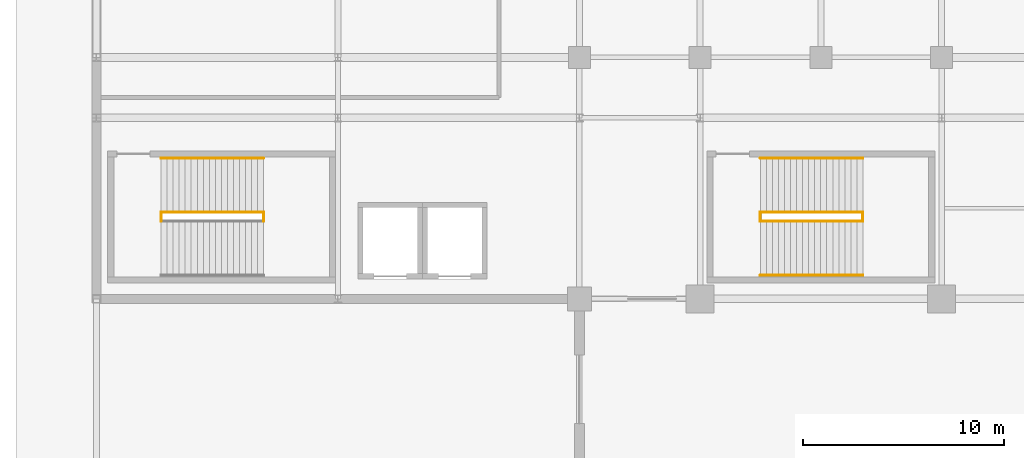
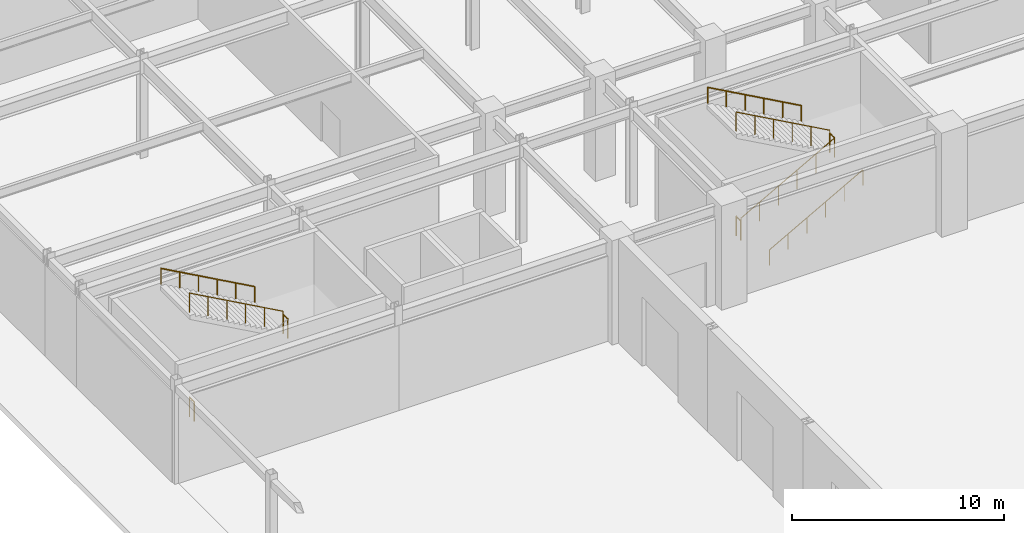
# One storey, part 39 of 44: 10 railings.
"""IFC4 building model written with IfcOpenShell, lengths in metres."""

from ifc_helpers import new_model, si_unit, direction, frame, origin, origin_2d, place, context, subcontext, project, spatial, circle, extrude, material, type_object, element, save


model = new_model("IFC4")

# Units and contexts
model_context = context("Model", 3, precision=1e-05, world=origin(), true_north=direction((0.0, 1.0)))
body_context = subcontext(model_context, "Body", "Model", "MODEL_VIEW")
ifc_project = project(units=[si_unit("LENGTHUNIT", "METRE"), si_unit("AREAUNIT", "SQUARE_METRE"), si_unit("VOLUMEUNIT", "CUBIC_METRE"), si_unit("PLANEANGLEUNIT", "RADIAN"), si_unit("MASSUNIT", "GRAM", prefix="KILO")], contexts=[model_context])

# Site, building, storey
site_placement = place(None, origin())
site = spatial("IfcSite", under=ifc_project, at=site_placement, CompositionType="ELEMENT")
building_placement = place(site_placement, origin())
building = spatial("IfcBuilding", under=site, at=building_placement, Name="Kaldorvane Square Convention Centre", CompositionType="ELEMENT")
storey_placement = place(building_placement, origin())
storey = spatial("IfcBuildingStorey", under=building, at=storey_placement, Name="L00", CompositionType="ELEMENT", Elevation=0.0)

# Railings
ifc_material = material(Name="Architectural Painted Steel", Category="steel")
railing_type_1 = type_object("IfcRailingType", Name="RL-GUARD-1120", PredefinedType="BALUSTRADE", material=ifc_material)
for number, where, name in (
    (1, (3.2100067138671875, 75.86000061035156, 0.0), "Convention Exit Stair C12 Floor Well Guard (L00)"),
    (2, (8.30999755859375, 75.86000061035156, 3.0), "Convention Exit Stair C12 Half-Landing Guard (L00)"),
):
    element("IfcRailing", number, at=place(storey_placement, frame(where)), inside=storey, type_object=railing_type_1, Name=name, PredefinedType="BALUSTRADE", context=body_context, shape_type="SweptSolid", body=[
        extrude(circle(Radius=0.0240020751953125, at=origin_2d()), frame((0.0, 0.0, 1.0959930419921875), z_axis=(0.0, 1.0, 0.0), x_axis=(-1.0, 0.0, 0.0)), (0.0, 0.0, 1.0), 0.44000244140625),
        extrude(circle(Radius=0.02099609375, at=origin_2d()), origin(), (0.0, 0.0, 1.0), 1.071990966796875),
        extrude(circle(Radius=0.02099609375, at=origin_2d()), frame((0.0, 0.44000244140625, 0.0)), (0.0, 0.0, 1.0), 1.071990966796875),
    ])
railing_1_placement = place(storey_placement, frame((8.30999755859375, 76.30999755859375, 3.1666717529296875)))
element("IfcRailing", 3, at=railing_1_placement, inside=storey, type_object=railing_type_1, Name="Convention Exit Stair C12 Flight 2 Guard (L00)", PredefinedType="BALUSTRADE", context=body_context, shape_type="SweptSolid", body=[
    extrude(circle(Radius=0.0240020751953125, at=origin_2d()), frame((0.0, 0.0, 1.0959930419921875), z_axis=(-0.874157276122, 0.0, 0.485642931179), x_axis=(0.0, -1.0, 0.0)), (0.0, 0.0, 1.0), 5.8341827392578125),
    extrude(circle(Radius=0.02099609375, at=origin_2d()), origin(), (0.0, 0.0, 1.0), 1.071990966796875),
    extrude(circle(Radius=0.02099609375, at=origin_2d()), frame((-1.0200042724609375, 0.0, 0.5666656494140625)), (0.0, 0.0, 1.0), 1.071990966796875),
    extrude(circle(Radius=0.02099609375, at=origin_2d()), frame((-2.0399932861328125, 0.0, 1.133331298828125)), (0.0, 0.0, 1.0), 1.071990966796875),
    extrude(circle(Radius=0.02099609375, at=origin_2d()), frame((-3.05999755859375, 0.0, 1.6999969482421875)), (0.0, 0.0, 1.0), 1.071990966796875),
    extrude(circle(Radius=0.02099609375, at=origin_2d()), frame((-4.079986572265625, 0.0, 2.26666259765625)), (0.0, 0.0, 1.0), 1.071990966796875),
    extrude(circle(Radius=0.02099609375, at=origin_2d()), frame((-5.0999908447265625, 0.0, 2.8333282470703125)), (0.0, 0.0, 1.0), 1.071990966796875),
])
for number, where, name in (
    (4, (32.99000549316406, 75.86000061035156, 0.0), "Convention Exit Stair C13 Floor Well Guard (L00)"),
    (5, (38.089996337890625, 75.86000061035156, 3.0), "Convention Exit Stair C13 Half-Landing Guard (L00)"),
):
    element("IfcRailing", number, at=place(storey_placement, frame(where)), inside=storey, type_object=railing_type_1, Name=name, PredefinedType="BALUSTRADE", context=body_context, shape_type="SweptSolid", body=[
        extrude(circle(Radius=0.0240020751953125, at=origin_2d()), frame((0.0, 0.0, 1.0959930419921875), z_axis=(0.0, 1.0, 0.0), x_axis=(-1.0, 0.0, 0.0)), (0.0, 0.0, 1.0), 0.44000244140625),
        extrude(circle(Radius=0.02099609375, at=origin_2d()), origin(), (0.0, 0.0, 1.0), 1.071990966796875),
        extrude(circle(Radius=0.02099609375, at=origin_2d()), frame((0.0, 0.44000244140625, 0.0)), (0.0, 0.0, 1.0), 1.071990966796875),
    ])
railing_2_placement = place(storey_placement, frame((32.99000549316406, 75.85000610351562, 0.1666717529296875)))
element("IfcRailing", 6, at=railing_2_placement, inside=storey, type_object=railing_type_1, Name="Convention Exit Stair C13 Flight 1 Guard (L00)", PredefinedType="BALUSTRADE", context=body_context, shape_type="SweptSolid", body=[
    extrude(circle(Radius=0.0240020751953125, at=origin_2d()), frame((0.0, 0.0, 1.0959930419921875), z_axis=(0.874157276122, 0.0, 0.485642931179), x_axis=(0.0, 1.0, 0.0)), (0.0, 0.0, 1.0), 5.8341827392578125),
    extrude(circle(Radius=0.02099609375, at=origin_2d()), origin(), (0.0, 0.0, 1.0), 1.071990966796875),
    extrude(circle(Radius=0.02099609375, at=origin_2d()), frame((1.0200042724609375, 0.0, 0.5666656494140625)), (0.0, 0.0, 1.0), 1.071990966796875),
    extrude(circle(Radius=0.02099609375, at=origin_2d()), frame((2.0399932861328125, 0.0, 1.133331298828125)), (0.0, 0.0, 1.0), 1.071990966796875),
    extrude(circle(Radius=0.02099609375, at=origin_2d()), frame((3.05999755859375, 0.0, 1.6999969482421875)), (0.0, 0.0, 1.0), 1.071990966796875),
    extrude(circle(Radius=0.02099609375, at=origin_2d()), frame((4.079986572265625, 0.0, 2.26666259765625)), (0.0, 0.0, 1.0), 1.071990966796875),
    extrude(circle(Radius=0.02099609375, at=origin_2d()), frame((5.0999908447265625, 0.0, 2.8333282470703125)), (0.0, 0.0, 1.0), 1.071990966796875),
])
railing_3_placement = place(storey_placement, frame((38.089996337890625, 76.30999755859375, 3.1666717529296875)))
element("IfcRailing", 7, at=railing_3_placement, inside=storey, type_object=railing_type_1, Name="Convention Exit Stair C13 Flight 2 Guard (L00)", PredefinedType="BALUSTRADE", context=body_context, shape_type="SweptSolid", body=[
    extrude(circle(Radius=0.0240020751953125, at=origin_2d()), frame((0.0, 0.0, 1.0959930419921875), z_axis=(-0.874157276122, 0.0, 0.485642931179), x_axis=(0.0, -1.0, 0.0)), (0.0, 0.0, 1.0), 5.8341827392578125),
    extrude(circle(Radius=0.02099609375, at=origin_2d()), origin(), (0.0, 0.0, 1.0), 1.071990966796875),
    extrude(circle(Radius=0.02099609375, at=origin_2d()), frame((-1.0200042724609375, 0.0, 0.5666656494140625)), (0.0, 0.0, 1.0), 1.071990966796875),
    extrude(circle(Radius=0.02099609375, at=origin_2d()), frame((-2.0399932861328125, 0.0, 1.133331298828125)), (0.0, 0.0, 1.0), 1.071990966796875),
    extrude(circle(Radius=0.02099609375, at=origin_2d()), frame((-3.05999755859375, 0.0, 1.6999969482421875)), (0.0, 0.0, 1.0), 1.071990966796875),
    extrude(circle(Radius=0.02099609375, at=origin_2d()), frame((-4.079986572265625, 0.0, 2.26666259765625)), (0.0, 0.0, 1.0), 1.071990966796875),
    extrude(circle(Radius=0.02099609375, at=origin_2d()), frame((-5.0999908447265625, 0.0, 2.8333282470703125)), (0.0, 0.0, 1.0), 1.071990966796875),
])
railing_type_2 = type_object("IfcRailingType", Name="RL-HAND-915", PredefinedType="HANDRAIL", material=ifc_material)
railing_4_placement = place(storey_placement, frame((8.30999755859375, 78.99000549316406, 3.1666717529296875)))
element("IfcRailing", 8, at=railing_4_placement, inside=storey, type_object=railing_type_2, Name="Convention Exit Stair C12 Wall Handrail 2 (L00)", PredefinedType="HANDRAIL", context=body_context, shape_type="SweptSolid", body=[
    extrude(circle(Radius=0.0240020751953125, at=origin_2d()), frame((0.0, 0.0, 0.8909912109375), z_axis=(-0.874157276122, 0.0, 0.485642931179), x_axis=(0.0, -1.0, 0.0)), (0.0, 0.0, 1.0), 5.8341827392578125),
    extrude(circle(Radius=0.02099609375, at=origin_2d()), origin(), (0.0, 0.0, 1.0), 0.8669891357421875),
    extrude(circle(Radius=0.02099609375, at=origin_2d()), frame((-1.0200042724609375, 0.0, 0.5666656494140625)), (0.0, 0.0, 1.0), 0.8669891357421875),
    extrude(circle(Radius=0.02099609375, at=origin_2d()), frame((-2.0399932861328125, 0.0, 1.133331298828125)), (0.0, 0.0, 1.0), 0.8669891357421875),
    extrude(circle(Radius=0.02099609375, at=origin_2d()), frame((-3.05999755859375, 0.0, 1.6999969482421875)), (0.0, 0.0, 1.0), 0.8669891357421875),
    extrude(circle(Radius=0.02099609375, at=origin_2d()), frame((-4.079986572265625, 0.0, 2.26666259765625)), (0.0, 0.0, 1.0), 0.8669891357421875),
    extrude(circle(Radius=0.02099609375, at=origin_2d()), frame((-5.0999908447265625, 0.0, 2.8333282470703125)), (0.0, 0.0, 1.0), 0.8669891357421875),
])
railing_5_placement = place(storey_placement, frame((32.99000549316406, 73.16999816894531, 0.1666717529296875)))
element("IfcRailing", 9, at=railing_5_placement, inside=storey, type_object=railing_type_2, Name="Convention Exit Stair C13 Wall Handrail 1 (L00)", PredefinedType="HANDRAIL", context=body_context, shape_type="SweptSolid", body=[
    extrude(circle(Radius=0.0240020751953125, at=origin_2d()), frame((0.0, 0.0, 0.8909912109375), z_axis=(0.874157276122, 0.0, 0.485642931179), x_axis=(0.0, 1.0, 0.0)), (0.0, 0.0, 1.0), 5.8341827392578125),
    extrude(circle(Radius=0.02099609375, at=origin_2d()), origin(), (0.0, 0.0, 1.0), 0.8669891357421875),
    extrude(circle(Radius=0.02099609375, at=origin_2d()), frame((1.0200042724609375, 0.0, 0.5666656494140625)), (0.0, 0.0, 1.0), 0.8669891357421875),
    extrude(circle(Radius=0.02099609375, at=origin_2d()), frame((2.0399932861328125, 0.0, 1.133331298828125)), (0.0, 0.0, 1.0), 0.8669891357421875),
    extrude(circle(Radius=0.02099609375, at=origin_2d()), frame((3.05999755859375, 0.0, 1.6999969482421875)), (0.0, 0.0, 1.0), 0.8669891357421875),
    extrude(circle(Radius=0.02099609375, at=origin_2d()), frame((4.079986572265625, 0.0, 2.26666259765625)), (0.0, 0.0, 1.0), 0.8669891357421875),
    extrude(circle(Radius=0.02099609375, at=origin_2d()), frame((5.0999908447265625, 0.0, 2.8333282470703125)), (0.0, 0.0, 1.0), 0.8669891357421875),
])
railing_6_placement = place(storey_placement, frame((38.089996337890625, 78.99000549316406, 3.1666717529296875)))
element("IfcRailing", 10, at=railing_6_placement, inside=storey, type_object=railing_type_2, Name="Convention Exit Stair C13 Wall Handrail 2 (L00)", PredefinedType="HANDRAIL", context=body_context, shape_type="SweptSolid", body=[
    extrude(circle(Radius=0.0240020751953125, at=origin_2d()), frame((0.0, 0.0, 0.8909912109375), z_axis=(-0.874157276122, 0.0, 0.485642931179), x_axis=(0.0, -1.0, 0.0)), (0.0, 0.0, 1.0), 5.8341827392578125),
    extrude(circle(Radius=0.02099609375, at=origin_2d()), origin(), (0.0, 0.0, 1.0), 0.8669891357421875),
    extrude(circle(Radius=0.02099609375, at=origin_2d()), frame((-1.0200042724609375, 0.0, 0.5666656494140625)), (0.0, 0.0, 1.0), 0.8669891357421875),
    extrude(circle(Radius=0.02099609375, at=origin_2d()), frame((-2.0399932861328125, 0.0, 1.133331298828125)), (0.0, 0.0, 1.0), 0.8669891357421875),
    extrude(circle(Radius=0.02099609375, at=origin_2d()), frame((-3.05999755859375, 0.0, 1.6999969482421875)), (0.0, 0.0, 1.0), 0.8669891357421875),
    extrude(circle(Radius=0.02099609375, at=origin_2d()), frame((-4.079986572265625, 0.0, 2.26666259765625)), (0.0, 0.0, 1.0), 0.8669891357421875),
    extrude(circle(Radius=0.02099609375, at=origin_2d()), frame((-5.0999908447265625, 0.0, 2.8333282470703125)), (0.0, 0.0, 1.0), 0.8669891357421875),
])

save(model, "model.ifc")
